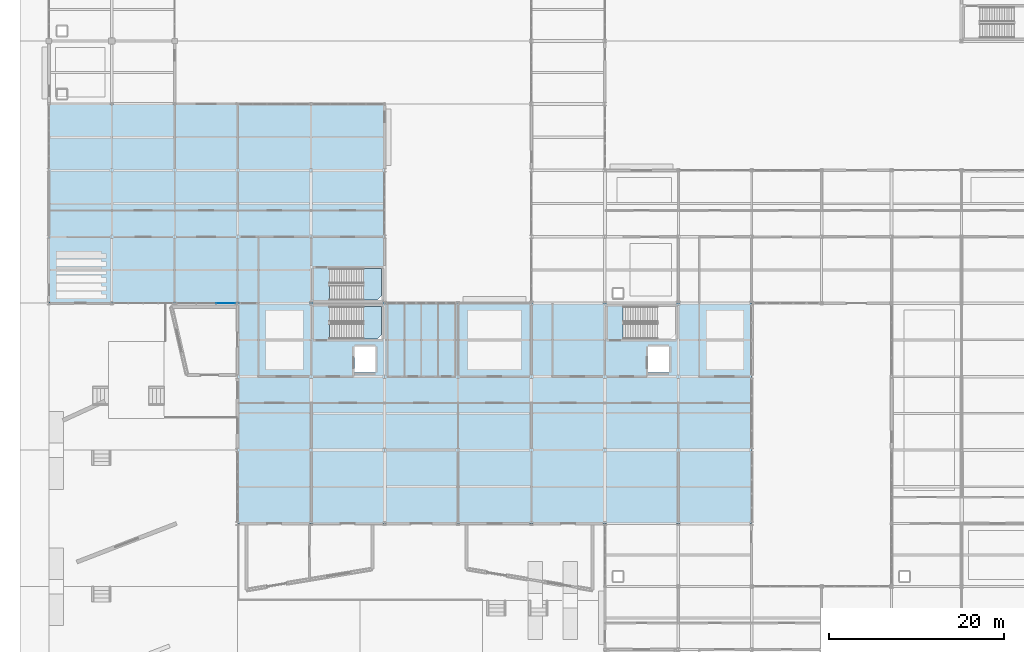
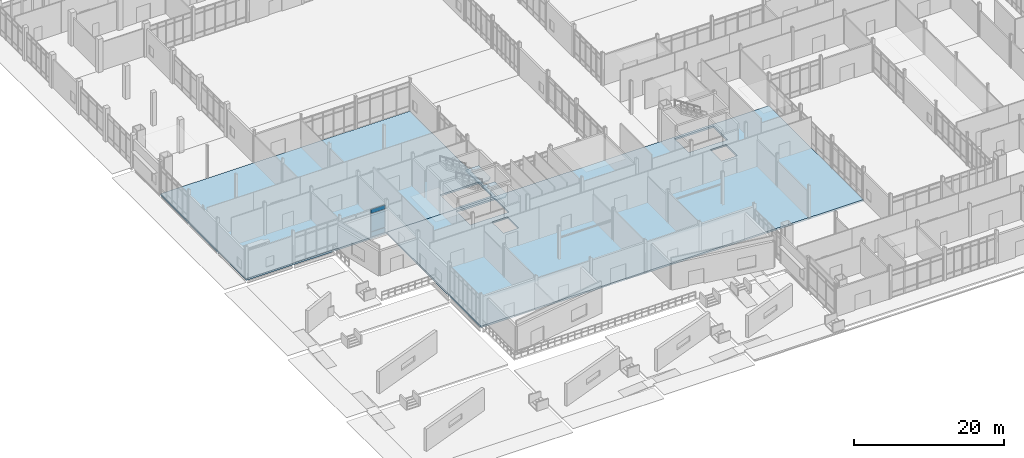
# One storey, part 139 of 229: 4 slabs, 3 plates, 3 elements without a shape of their own.
"""IFC4 building model written with IfcOpenShell, lengths in metres."""

from ifc_helpers import new_model, si_unit, direction, frame, origin, origin_2d, place, context, subcontext, project, spatial, polyline, rectangle, outline, extrude, material, layer, layer_set, type_object, element, aggregate, save


model = new_model("IFC4")

# Units and contexts
model_context = context("Model", 3, precision=1e-05, world=origin(), true_north=direction((0.0, 1.0)))
body_context = subcontext(model_context, "Body", "Model", "MODEL_VIEW")
ifc_project = project(units=[si_unit("LENGTHUNIT", "METRE"), si_unit("AREAUNIT", "SQUARE_METRE"), si_unit("VOLUMEUNIT", "CUBIC_METRE"), si_unit("PLANEANGLEUNIT", "RADIAN"), si_unit("MASSUNIT", "GRAM", prefix="KILO")], contexts=[model_context])

# Site, building, storey
site_placement = place(None, origin())
site = spatial("IfcSite", under=ifc_project, at=site_placement, CompositionType="ELEMENT")
building_placement = place(site_placement, origin())
building = spatial("IfcBuilding", under=site, at=building_placement, Name="Calvrana Isthmian Art Gallery", CompositionType="ELEMENT")
storey_placement = place(building_placement, origin())
storey = spatial("IfcBuildingStorey", under=building, at=storey_placement, Name="L00", CompositionType="ELEMENT", Elevation=0.0)

# Curtain wall, plates
ifc_material_1 = material(Name="Anodized bronze aluminium 6063-T6", Category="aluminium")
ifc_layer_1 = layer(ifc_material_1, 0.179931640625, Name="Anodized bronze aluminium 6063-T6")
ifc_layer_set_1 = layer_set([ifc_layer_1], Name="Anodized bronze aluminium 6063-T6")
curtain_wall_type = type_object("IfcCurtainWallType", Name="CW-UNIT-068X46", PredefinedType="USERDEFINED", material=ifc_layer_set_1)
curtain_wall_placement = place(storey_placement, origin())
curtain_wall = element("IfcCurtainWall", 1, at=curtain_wall_placement, inside=storey, type_object=curtain_wall_type, Name="Curtain wall CW-019", ObjectType="UNITISED CURTAIN WALL", PredefinedType="USERDEFINED")
ifc_material_2 = material(Name="Low-E laminated solar glass", Category="glass")
ifc_layer_2 = layer(ifc_material_2, 0.028076171875, Name="Low-E laminated solar glass")
ifc_layer_set_2 = layer_set([ifc_layer_2], Name="Low-E laminated solar glass")
plate_type = type_object("IfcPlateType", Name="CWP-VISION-28", PredefinedType="CURTAIN_PANEL", material=ifc_layer_set_2)
plate_1_placement = place(storey_placement, frame((20.249755859375, 46.800048828125, 0.074951171875), z_axis=(0.0, 0.0, 1.0), x_axis=(-1.0, 0.0, 0.0)))
plate_1 = element("IfcPlate", 2, at=plate_1_placement, type_object=plate_type, Name="CW-019 panel 1.1", PredefinedType="CURTAIN_PANEL", context=body_context, shape_type="SweptSolid", body=[
    extrude(rectangle(XDim=2.181640625, YDim=0.028076171875, at=origin_2d()), origin(), (0.0, 0.0, 1.0), 0.78759765625),
])
plate_2_placement = place(storey_placement, frame((20.249755859375, 46.800048828125, 0.9375), z_axis=(0.0, 0.0, 1.0), x_axis=(-1.0, 0.0, 0.0)))
plate_2 = element("IfcPlate", 3, at=plate_2_placement, type_object=plate_type, Name="CW-019 panel 1.2", PredefinedType="CURTAIN_PANEL", context=body_context, shape_type="SweptSolid", body=[
    extrude(rectangle(XDim=2.181640625, YDim=0.028076171875, at=origin_2d()), origin(), (0.0, 0.0, 1.0), 2.882080078125),
])
plate_3_placement = place(storey_placement, frame((20.249755859375, 46.800048828125, 3.89453125), z_axis=(0.0, 0.0, 1.0), x_axis=(-1.0, 0.0, 0.0)))
plate_3 = element("IfcPlate", 4, at=plate_3_placement, type_object=plate_type, Name="CW-019 panel 1.3", PredefinedType="CURTAIN_PANEL", context=body_context, shape_type="SweptSolid", body=[
    extrude(rectangle(XDim=2.181640625, YDim=0.028076171875, at=origin_2d()), origin(), (0.0, 0.0, 1.0), 0.637451171875),
])
aggregate(curtain_wall, [plate_1, plate_2, plate_3])

# Slabs
ifc_material_3 = material(Name="Concrete C40/50", Category="concrete")
ifc_layer_3 = layer(ifc_material_3, 0.280029296875, Name="Concrete C40/50")
ifc_layer_set_3 = layer_set([ifc_layer_3], Name="Concrete C40/50")
slab_type_1 = type_object("IfcSlabType", Name="SLB-GAL-280", PredefinedType="FLOOR", material=ifc_layer_set_3)
slab_1_placement = place(storey_placement, frame((0.0, 0.0, -0.280029296875)))
element("IfcSlab", 5, at=slab_1_placement, inside=storey, type_object=slab_type_1, Name="Floor slab V1_L00", PredefinedType="FLOOR", context=body_context, shape_type="SweptSolid", body=[
    extrude(outline(polyline([(21.60009765625, 21.60009765625), (80.39990234375, 21.60009765625), (80.39990234375, 46.800048828125), (21.60009765625, 46.800048828125), (21.60009765625, 21.60009765625)]), holes=[polyline([(32.10009765625, 42.7099609375), (38.06005859375, 42.7099609375), (38.06005859375, 46.429931640625), (32.10009765625, 46.429931640625), (32.10009765625, 42.7099609375)]), polyline([(34.949951171875, 38.85009765625), (37.35009765625, 38.85009765625), (37.35009765625, 41.85009765625), (34.949951171875, 41.85009765625), (34.949951171875, 38.85009765625)]), polyline([(65.699951171875, 42.7099609375), (71.659912109375, 42.7099609375), (71.659912109375, 46.429931640625), (65.699951171875, 46.429931640625), (65.699951171875, 42.7099609375)]), polyline([(68.550048828125, 38.85009765625), (70.949951171875, 38.85009765625), (70.949951171875, 41.85009765625), (68.550048828125, 41.85009765625), (68.550048828125, 38.85009765625)])]), origin(), (0.0, 0.0, 1.0), 0.280029296875),
])
slab_2_placement = place(storey_placement, frame((0.0, 0.0, -0.280029296875)))
element("IfcSlab", 6, at=slab_2_placement, inside=storey, type_object=slab_type_1, Name="Floor slab V3S_L00", PredefinedType="FLOOR", context=body_context, shape_type="SweptSolid", body=[
    extrude(outline(polyline([(0.0, 46.800048828125), (38.39990234375, 46.800048828125), (38.39990234375, 69.60009765625), (0.0, 69.60009765625), (0.0, 46.800048828125)]), holes=[polyline([(32.10009765625, 47.14990234375), (38.06005859375, 47.14990234375), (38.06005859375, 50.75), (32.10009765625, 50.75), (32.10009765625, 47.14990234375)])]), origin(), (0.0, 0.0, 1.0), 0.280029296875),
])

# Stair, slab
stair_type_1 = type_object("IfcStairType", Name="STR-HT-540W", PredefinedType="HALF_TURN_STAIR", material=ifc_material_3)
stair_1_placement = place(storey_placement, origin())
stair_1 = element("IfcStair", 7, at=stair_1_placement, inside=storey, type_object=stair_type_1, Name="Protected exit stair ST-1 (L00)", PredefinedType="HALF_TURN_STAIR")
ifc_layer_4 = layer(ifc_material_3, 0.199951171875, Name="Concrete C40/50")
ifc_layer_set_4 = layer_set([ifc_layer_4], Name="Concrete C40/50")
slab_type_2 = type_object("IfcSlabType", Name="SLB-LAND-200", PredefinedType="LANDING", material=ifc_layer_set_4)
slab_3_placement = place(storey_placement, frame((0.0, 0.0, 2.5)))
slab_3 = element("IfcSlab", 8, at=slab_3_placement, type_object=slab_type_2, Name="ST-1 landing 1", PredefinedType="LANDING", context=body_context, shape_type="SweptSolid", body=[
    extrude(outline(polyline([(36.02001953125, 42.7099609375), (37.5400390625, 42.7099609375), (38.06005859375, 43.22998046875), (38.06005859375, 46.429931640625), (36.02001953125, 46.429931640625), (36.02001953125, 42.7099609375)])), origin(), (0.0, 0.0, 1.0), 0.199951171875),
])
aggregate(stair_1, [slab_3])

stair_type_2 = type_object("IfcStairType", Name="STR-TSR-540", PredefinedType="TWO_STRAIGHT_RUN_STAIR", material=ifc_material_3)
stair_2_placement = place(storey_placement, origin())
stair_2 = element("IfcStair", 9, at=stair_2_placement, inside=storey, type_object=stair_type_2, Name="Protected exit stair ST-7 (L00)", PredefinedType="TWO_STRAIGHT_RUN_STAIR")
slab_4_placement = place(storey_placement, frame((0.0, 0.0, 2.5)))
slab_4 = element("IfcSlab", 10, at=slab_4_placement, type_object=slab_type_2, Name="ST-7 landing 1", PredefinedType="LANDING", context=body_context, shape_type="SweptSolid", body=[
    extrude(outline(polyline([(36.02001953125, 47.14990234375), (37.5400390625, 47.14990234375), (38.06005859375, 47.669921875), (38.06005859375, 50.75), (36.02001953125, 50.75), (36.02001953125, 47.14990234375)])), origin(), (0.0, 0.0, 1.0), 0.199951171875),
])
aggregate(stair_2, [slab_4])

save(model, "model.ifc")
